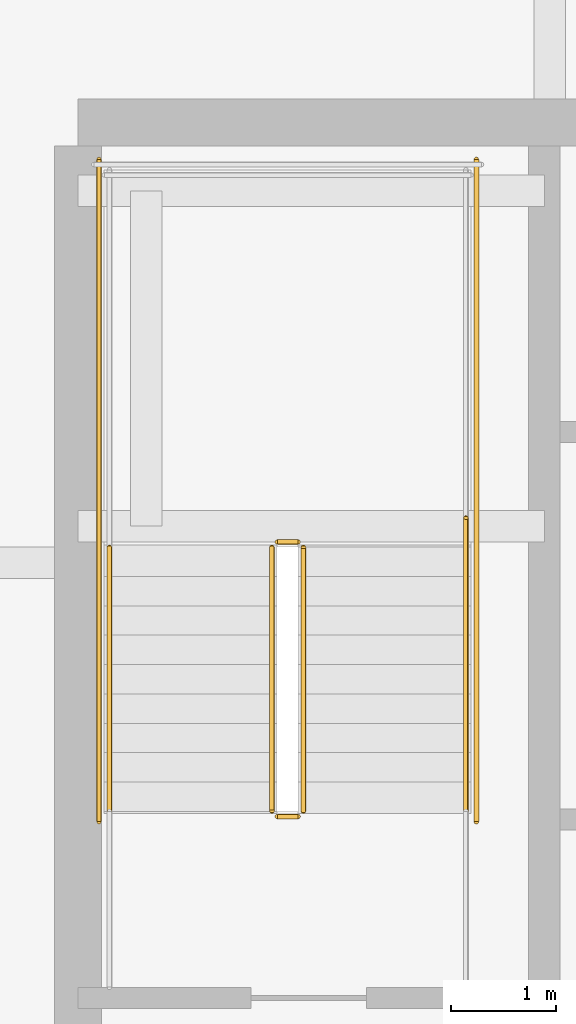
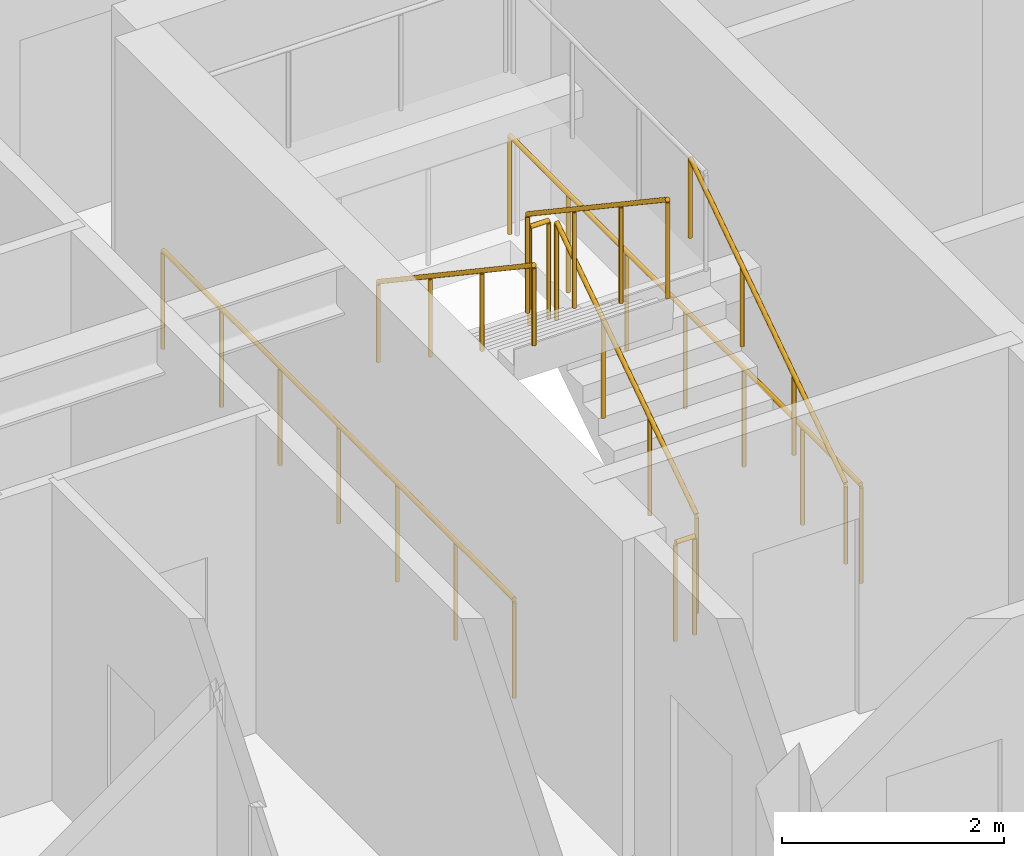
# One storey, part 30 of 34: 8 railings.
"""IFC4 building model written with IfcOpenShell, lengths in metres."""

from ifc_helpers import new_model, si_unit, direction, frame, origin, origin_2d, place, context, subcontext, project, spatial, circle, extrude, material, type_object, element, save


model = new_model("IFC4")

# Units and contexts
model_context = context("Model", 3, precision=1e-05, world=origin(), true_north=direction((0.0, 1.0)))
body_context = subcontext(model_context, "Body", "Model", "MODEL_VIEW")
ifc_project = project(units=[si_unit("LENGTHUNIT", "METRE"), si_unit("AREAUNIT", "SQUARE_METRE"), si_unit("VOLUMEUNIT", "CUBIC_METRE"), si_unit("PLANEANGLEUNIT", "RADIAN"), si_unit("MASSUNIT", "GRAM", prefix="KILO")], contexts=[model_context])

# Site, building, storey
site_placement = place(None, origin())
site = spatial("IfcSite", under=ifc_project, at=site_placement, CompositionType="ELEMENT")
building_placement = place(site_placement, origin())
building = spatial("IfcBuilding", under=site, at=building_placement, Name="Serunith Strait Residences", CompositionType="ELEMENT")
storey_placement = place(building_placement, frame((0.0, 0.0, 101.699951171875)))
storey = spatial("IfcBuildingStorey", under=building, at=storey_placement, Name="L25", CompositionType="ELEMENT", Elevation=101.699951171875)

# Railings
ifc_material = material(Name="Brushed stainless steel 316L", Category="steel")
railing_type_1 = type_object("IfcRailingType", Name="RLG-STAIR-GUARD", PredefinedType="BALUSTRADE", material=ifc_material)
railing_1_placement = place(storey_placement, frame((25.550048828125, 27.030029296875, 0.1875)))
element("IfcRailing", 1, at=railing_1_placement, inside=storey, type_object=railing_type_1, Name="L25 ST-1 stair guard 1", PredefinedType="BALUSTRADE", context=body_context, shape_type="SweptSolid", body=[
    extrude(circle(Radius=0.02392578125, at=origin_2d()), frame((0.0, 0.001708984375, 1.0771484375), z_axis=(0.0, 0.830909170722, 0.55640807867), x_axis=(-1.0, 0.0, 0.0)), (0.0, 0.0, 1.0), 3.02880859375),
    extrude(circle(Radius=0.02099609375, at=origin_2d()), origin(), (0.0, 0.0, 1.0), 1.050048828125),
    extrude(circle(Radius=0.02099609375, at=origin_2d()), frame((0.0, 0.840087890625, 0.5625)), (0.0, 0.0, 1.0), 1.050048828125),
    extrude(circle(Radius=0.02099609375, at=origin_2d()), frame((0.0, 1.679931640625, 1.125)), (0.0, 0.0, 1.0), 1.050048828125),
    extrude(circle(Radius=0.02099609375, at=origin_2d()), frame((0.0, 2.52001953125, 1.6875)), (0.0, 0.0, 1.0), 1.050048828125),
])
railing_2_placement = place(storey_placement, frame((25.5, 29.60009765625, 1.875)))
element("IfcRailing", 2, at=railing_2_placement, inside=storey, type_object=railing_type_1, Name="L25 ST-1 stair guard 2", PredefinedType="BALUSTRADE", context=body_context, shape_type="SweptSolid", body=[
    extrude(circle(Radius=0.02392578125, at=origin_2d()), frame((-0.001953125, 0.0, 1.076171875), z_axis=(-1.0, 0.0, 0.0), x_axis=(0.0, -1.0, 0.0)), (0.0, 0.0, 1.0), 0.196044921875),
    extrude(circle(Radius=0.02099609375, at=origin_2d()), origin(), (0.0, 0.0, 1.0), 1.050048828125),
    extrude(circle(Radius=0.02099609375, at=origin_2d()), frame((-0.199951171875, 0.0, 0.0)), (0.0, 0.0, 1.0), 1.050048828125),
])
railing_3_placement = place(storey_placement, frame((25.25, 29.550048828125, 2.0625)))
element("IfcRailing", 3, at=railing_3_placement, inside=storey, type_object=railing_type_1, Name="L25 ST-1 stair guard 6", PredefinedType="BALUSTRADE", context=body_context, shape_type="SweptSolid", body=[
    extrude(circle(Radius=0.02392578125, at=origin_2d()), frame((0.0, -0.001708984375, 1.0771484375), z_axis=(0.0, -0.830909170722, 0.55640807867), x_axis=(1.0, 0.0, 0.0)), (0.0, 0.0, 1.0), 3.02880859375),
    extrude(circle(Radius=0.02099609375, at=origin_2d()), origin(), (0.0, 0.0, 1.0), 1.050048828125),
    extrude(circle(Radius=0.02099609375, at=origin_2d()), frame((0.0, -0.840087890625, 0.5625)), (0.0, 0.0, 1.0), 1.050048828125),
    extrude(circle(Radius=0.02099609375, at=origin_2d()), frame((0.0, -1.679931640625, 1.125)), (0.0, 0.0, 1.0), 1.050048828125),
    extrude(circle(Radius=0.02099609375, at=origin_2d()), frame((0.0, -2.52001953125, 1.6875)), (0.0, 0.0, 1.0), 1.050048828125),
])
railing_4_placement = place(storey_placement, frame((25.5, 26.97998046875, 0.0)))
element("IfcRailing", 4, at=railing_4_placement, inside=storey, type_object=railing_type_1, Name="L25 ST-1 stair guard 7", PredefinedType="BALUSTRADE", context=body_context, shape_type="SweptSolid", body=[
    extrude(circle(Radius=0.02392578125, at=origin_2d()), frame((-0.001953125, 0.0, 1.076171875), z_axis=(-1.0, 0.0, 0.0), x_axis=(0.0, -1.0, 0.0)), (0.0, 0.0, 1.0), 0.196044921875),
    extrude(circle(Radius=0.02099609375, at=origin_2d()), origin(), (0.0, 0.0, 1.0), 1.050048828125),
    extrude(circle(Radius=0.02099609375, at=origin_2d()), frame((-0.199951171875, 0.0, 0.0)), (0.0, 0.0, 1.0), 1.050048828125),
])
for number, where, name in (
    (5, (27.199951171875, 26.929931640625, 0.0), "L25 ST-1 stair guard 10"),
    (6, (23.60009765625, 26.929931640625, 0.0), "L25 ST-1 stair guard 11"),
):
    element("IfcRailing", number, at=place(storey_placement, frame(where)), inside=storey, type_object=railing_type_1, Name=name, PredefinedType="BALUSTRADE", context=body_context, shape_type="SweptSolid", body=[
        extrude(circle(Radius=0.02392578125, at=origin_2d()), frame((0.0, 0.001953125, 1.076171875), z_axis=(0.0, 1.0, 0.0), x_axis=(-1.0, 0.0, 0.0)), (0.0, 0.0, 1.0), 6.316162109375),
        extrude(circle(Radius=0.02099609375, at=origin_2d()), origin(), (0.0, 0.0, 1.0), 1.050048828125),
        extrude(circle(Radius=0.02099609375, at=origin_2d()), frame((0.0, 1.05322265625, 0.0)), (0.0, 0.0, 1.0), 1.050048828125),
        extrude(circle(Radius=0.02099609375, at=origin_2d()), frame((0.0, 2.106689453125, 0.0)), (0.0, 0.0, 1.0), 1.050048828125),
        extrude(circle(Radius=0.02099609375, at=origin_2d()), frame((0.0, 3.16015625, 0.0)), (0.0, 0.0, 1.0), 1.050048828125),
        extrude(circle(Radius=0.02099609375, at=origin_2d()), frame((0.0, 4.21337890625, 0.0)), (0.0, 0.0, 1.0), 1.050048828125),
        extrude(circle(Radius=0.02099609375, at=origin_2d()), frame((0.0, 5.2666015625, 0.0)), (0.0, 0.0, 1.0), 1.050048828125),
        extrude(circle(Radius=0.02099609375, at=origin_2d()), frame((0.0, 6.320068359375, 0.0)), (0.0, 0.0, 1.0), 1.050048828125),
    ])
railing_type_2 = type_object("IfcRailingType", Name="RLG-STAIR-HR", PredefinedType="HANDRAIL", material=ifc_material)
railing_5_placement = place(storey_placement, frame((27.10009765625, 27.030029296875, 0.1875)))
element("IfcRailing", 7, at=railing_5_placement, inside=storey, type_object=railing_type_2, Name="L25 ST-1 stair handrail 1", PredefinedType="HANDRAIL", context=body_context, shape_type="SweptSolid", body=[
    extrude(circle(Radius=0.02392578125, at=origin_2d()), frame((0.0, 0.001708984375, 0.876953125), z_axis=(0.0, 0.830208209119, 0.557453432594), x_axis=(-1.0, 0.0, 0.0)), (0.0, 0.0, 1.0), 3.36865234375),
    extrude(circle(Radius=0.02099609375, at=origin_2d()), origin(), (0.0, 0.0, 1.0), 0.849853515625),
    extrude(circle(Radius=0.02099609375, at=origin_2d()), frame((0.0, 0.933349609375, 0.626708984375)), (0.0, 0.0, 1.0), 0.849853515625),
    extrude(circle(Radius=0.02099609375, at=origin_2d()), frame((0.0, 1.86669921875, 1.25341796875)), (0.0, 0.0, 1.0), 0.849853515625),
    extrude(circle(Radius=0.02099609375, at=origin_2d()), frame((0.0, 2.800048828125, 1.880126953125)), (0.0, 0.0, 1.0), 0.849853515625),
])
railing_6_placement = place(storey_placement, frame((23.699951171875, 29.550048828125, 2.0625)))
element("IfcRailing", 8, at=railing_6_placement, inside=storey, type_object=railing_type_2, Name="L25 ST-1 stair handrail 2", PredefinedType="HANDRAIL", context=body_context, shape_type="SweptSolid", body=[
    extrude(circle(Radius=0.02392578125, at=origin_2d()), frame((0.0, -0.001708984375, 0.876953125), z_axis=(0.0, -0.830208209119, 0.557453432594), x_axis=(1.0, 0.0, 0.0)), (0.0, 0.0, 1.0), 3.36865234375),
    extrude(circle(Radius=0.02099609375, at=origin_2d()), origin(), (0.0, 0.0, 1.0), 0.849853515625),
    extrude(circle(Radius=0.02099609375, at=origin_2d()), frame((0.0, -0.933349609375, 0.626708984375)), (0.0, 0.0, 1.0), 0.849853515625),
    extrude(circle(Radius=0.02099609375, at=origin_2d()), frame((0.0, -1.86669921875, 1.25341796875)), (0.0, 0.0, 1.0), 0.849853515625),
    extrude(circle(Radius=0.02099609375, at=origin_2d()), frame((0.0, -2.800048828125, 1.880126953125)), (0.0, 0.0, 1.0), 0.849853515625),
])

save(model, "model.ifc")
